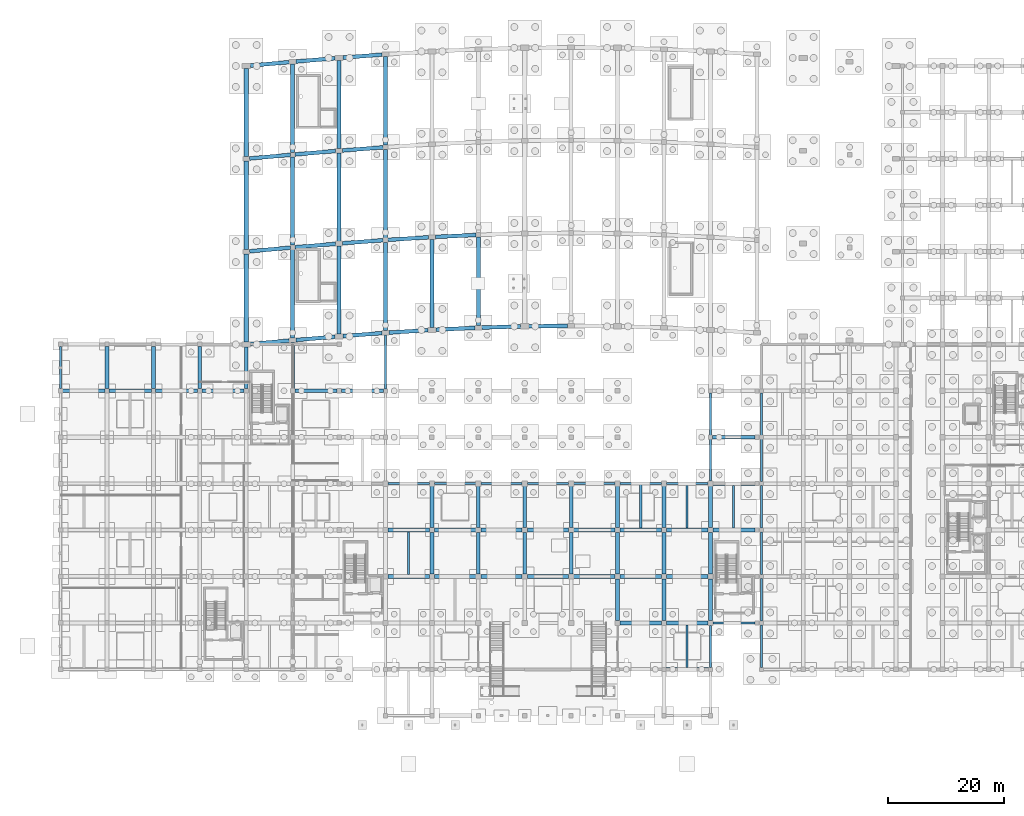
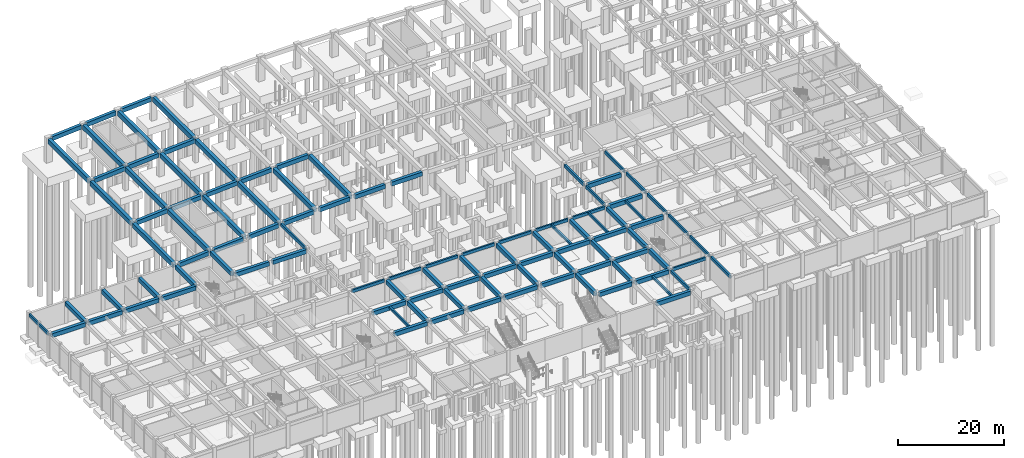
# One storey, part 17 of 45: 104 beams.
"""IFC4 building model written with IfcOpenShell, lengths in metres."""

from ifc_helpers import new_model, si_unit, direction, frame, origin, origin_2d, place, context, subcontext, project, spatial, rectangle, extrude, material, material_profile, profile_set, type_object, element, save


model = new_model("IFC4")

# Units and contexts
model_context = context("Model", 3, precision=1e-05, world=origin(), true_north=direction((0.0, 1.0)))
body_context = subcontext(model_context, "Body", "Model", "MODEL_VIEW")
ifc_project = project(units=[si_unit("LENGTHUNIT", "METRE"), si_unit("AREAUNIT", "SQUARE_METRE"), si_unit("VOLUMEUNIT", "CUBIC_METRE"), si_unit("PLANEANGLEUNIT", "RADIAN"), si_unit("MASSUNIT", "GRAM", prefix="KILO")], contexts=[model_context])

# Site, building, storey
site_placement = place(None, origin())
site = spatial("IfcSite", under=ifc_project, at=site_placement, CompositionType="ELEMENT")
building_placement = place(site_placement, origin())
building = spatial("IfcBuilding", under=site, at=building_placement, Name="Kenh Van Central Station", CompositionType="ELEMENT")
storey_placement = place(building_placement, frame((0.0, 0.0, -5.39990234375)))
storey = spatial("IfcBuildingStorey", under=building, at=storey_placement, Name="B1", CompositionType="ELEMENT", Elevation=-5.39990234375)

# Beams
ifc_material_1 = material(Name="Concrete C40/50", Category="concrete")
ifc_material_profile_1 = material_profile(ifc_material_1, rectangle(XDim=0.64990234375, YDim=0.949951171875, at=origin_2d()), Name="RC 650x950")
ifc_profile_set_1 = profile_set([ifc_material_profile_1], Name="Concrete C40/50")
beam_type_1 = type_object("IfcBeamType", Name="BM-RC-650x950", PredefinedType="BEAM", material=ifc_profile_set_1)
beam_1_placement = place(storey_placement, frame((104.340087890625, 8.0, 4.5849609375), z_axis=(1.0, 0.0, 0.0), x_axis=(0.0, 1.0, 0.0)))
element("IfcBeam", 1, at=beam_1_placement, inside=storey, type_object=beam_type_1, Name="B1 beam 0010", PredefinedType="BEAM", context=body_context, shape_type="SweptSolid", body=[
    extrude(rectangle(XDim=0.64990234375, YDim=0.949951171875, at=origin_2d()), origin(), (0.0, 0.0, 1.0), 7.31982421875),
])
for number, where, z_axis, x_axis, name in (
    (2, (96.43994140625, 16.0, 4.625), (1.0, 0.0, 0.0), (0.0, 1.0, 0.0), "B1 beam 0025"),
    (3, (104.43994140625, 16.0, 4.625), (1.0, 0.0, 0.0), (0.0, 1.0, 0.0), "B1 beam 0026"),
    (4, (56.43994140625, 24.0, 4.625), (1.0, 0.0, 0.0), (0.0, 1.0, 0.0), "B1 beam 0040"),
    (5, (64.43994140625, 24.0, 4.625), (1.0, 0.0, 0.0), (0.0, 1.0, 0.0), "B1 beam 0041"),
    (6, (72.43994140625, 24.0, 4.625), (1.0, 0.0, 0.0), (0.0, 1.0, 0.0), "B1 beam 0042"),
    (7, (80.43994140625, 24.0, 4.625), (1.0, 0.0, 0.0), (0.0, 1.0, 0.0), "B1 beam 0043"),
    (8, (88.43994140625, 24.0, 4.625), (1.0, 0.0, 0.0), (0.0, 1.0, 0.0), "B1 beam 0044"),
    (9, (96.43994140625, 24.0, 4.625), (1.0, 0.0, 0.0), (0.0, 1.0, 0.0), "B1 beam 0045"),
    (10, (104.43994140625, 24.0, 4.625), (1.0, 0.0, 0.0), (0.0, 1.0, 0.0), "B1 beam 0046"),
    (11, (56.43994140625, 32.0, 4.625), (1.0, 0.0, 0.0), (0.0, 1.0, 0.0), "B1 beam 0060"),
    (12, (64.43994140625, 32.0, 4.625), (1.0, 0.0, 0.0), (0.0, 1.0, 0.0), "B1 beam 0061"),
    (13, (72.43994140625, 32.0, 4.625), (1.0, 0.0, 0.0), (0.0, 1.0, 0.0), "B1 beam 0062"),
    (14, (80.43994140625, 32.0, 4.625), (1.0, 0.0, 0.0), (0.0, 1.0, 0.0), "B1 beam 0063"),
    (15, (88.43994140625, 32.0, 4.625), (1.0, 0.0, 0.0), (0.0, 1.0, 0.0), "B1 beam 0064"),
    (16, (96.43994140625, 32.0, 4.625), (1.0, 0.0, 0.0), (0.0, 1.0, 0.0), "B1 beam 0065"),
    (17, (104.43994140625, 32.0, 4.625), (1.0, 0.0, 0.0), (0.0, 1.0, 0.0), "B1 beam 0066"),
):
    element("IfcBeam", number, at=place(storey_placement, frame(where, z_axis=z_axis, x_axis=x_axis)), inside=storey, type_object=beam_type_1, Name=name, PredefinedType="BEAM", context=body_context, shape_type="SweptSolid", body=[
        extrude(rectangle(XDim=0.64990234375, YDim=0.949951171875, at=origin_2d()), origin(), (0.0, 0.0, 1.0), 7.1201171875),
    ])
for number, where, z_axis, x_axis, name in (
    (18, (112.43994140625, 32.0, 4.625), (1.0, 0.0, 0.0), (0.0, 1.0, 0.0), "B1 beam 0067"),
    (19, (112.43994140625, 40.0, 4.625), (1.0, 0.0, 0.0), (0.0, 1.0, 0.0), "B1 beam 0087"),
):
    element("IfcBeam", number, at=place(storey_placement, frame(where, z_axis=z_axis, x_axis=x_axis)), inside=storey, type_object=beam_type_1, Name=name, PredefinedType="BEAM", context=body_context, shape_type="SweptSolid", body=[
        extrude(rectangle(XDim=0.64990234375, YDim=0.949951171875, at=origin_2d()), origin(), (0.0, 0.0, 1.0), 7.219970703125),
    ])
beam_2_placement = place(storey_placement, frame((112.340087890625, 48.0, 4.625), z_axis=(1.0, 0.0, 0.0), x_axis=(0.0, 1.0, 0.0)))
element("IfcBeam", 20, at=beam_2_placement, inside=storey, type_object=beam_type_1, Name="B1 beam 0101", PredefinedType="BEAM", context=body_context, shape_type="SweptSolid", body=[
    extrude(rectangle(XDim=0.64990234375, YDim=0.949951171875, at=origin_2d()), origin(), (0.0, 0.0, 1.0), 7.31982421875),
])
for number, where, z_axis, x_axis, name in (
    (21, (0.364990234375, 56.0, 4.625), (1.0, 0.0, 0.0), (0.0, 1.0, 0.0), "B1 beam 0108"),
    (22, (8.364990234375, 56.0, 4.625), (1.0, 0.0, 0.0), (0.0, 1.0, 0.0), "B1 beam 0109"),
):
    element("IfcBeam", number, at=place(storey_placement, frame(where, z_axis=z_axis, x_axis=x_axis)), inside=storey, type_object=beam_type_1, Name=name, PredefinedType="BEAM", context=body_context, shape_type="SweptSolid", body=[
        extrude(rectangle(XDim=0.64990234375, YDim=0.949951171875, at=origin_2d()), origin(), (0.0, 0.0, 1.0), 7.27001953125),
    ])
beam_3_placement = place(storey_placement, frame((16.364990234375, 56.0, 4.625), z_axis=(1.0, 0.0, 0.0), x_axis=(0.0, 1.0, 0.0)))
element("IfcBeam", 23, at=beam_3_placement, inside=storey, type_object=beam_type_1, Name="B1 beam 0110", PredefinedType="BEAM", context=body_context, shape_type="SweptSolid", body=[
    extrude(rectangle(XDim=0.64990234375, YDim=0.949951171875, at=origin_2d()), origin(), (0.0, 0.0, 1.0), 7.2451171875),
])
for number, where, z_axis, x_axis, name in (
    (24, (24.389892578125, 56.0, 4.625), (1.0, 0.0, 0.0), (0.0, 1.0, 0.0), "B1 beam 0111"),
    (25, (40.389892578125, 56.0, 4.625), (1.0, 0.0, 0.0), (0.0, 1.0, 0.0), "B1 beam 0112"),
):
    element("IfcBeam", number, at=place(storey_placement, frame(where, z_axis=z_axis, x_axis=x_axis)), inside=storey, type_object=beam_type_1, Name=name, PredefinedType="BEAM", context=body_context, shape_type="SweptSolid", body=[
        extrude(rectangle(XDim=0.64990234375, YDim=0.949951171875, at=origin_2d()), origin(), (0.0, 0.0, 1.0), 7.22021484375),
    ])
for number, where, z_axis, x_axis, name in (
    (26, (48.389892578125, 56.0, 4.625), (1.0, 0.0, 0.0), (0.0, 1.0, 0.0), "B1 beam 0113"),
    (27, (8.0, 56.364990234375, 4.625), (0.0, 1.0, 0.0), (-1.0, 0.0, 0.0), "B1 beam 0161"),
    (28, (16.0, 56.364990234375, 4.625), (0.0, 1.0, 0.0), (-1.0, 0.0, 0.0), "B1 beam 0168"),
):
    element("IfcBeam", number, at=place(storey_placement, frame(where, z_axis=z_axis, x_axis=x_axis)), inside=storey, type_object=beam_type_1, Name=name, PredefinedType="BEAM", context=body_context, shape_type="SweptSolid", body=[
        extrude(rectangle(XDim=0.64990234375, YDim=0.949951171875, at=origin_2d()), origin(), (0.0, 0.0, 1.0), 7.27001953125),
    ])
beam_4_placement = place(storey_placement, frame((24.0, 56.389892578125, 4.625), z_axis=(0.0, 1.0, 0.0), x_axis=(-1.0, 0.0, 0.0)))
element("IfcBeam", 29, at=beam_4_placement, inside=storey, type_object=beam_type_1, Name="B1 beam 0175", PredefinedType="BEAM", context=body_context, shape_type="SweptSolid", body=[
    extrude(rectangle(XDim=0.64990234375, YDim=0.949951171875, at=origin_2d()), origin(), (0.0, 0.0, 1.0), 7.22021484375),
])
beam_5_placement = place(storey_placement, frame((32.0, 56.389892578125, 4.625), z_axis=(0.0, 1.0, 0.0), x_axis=(-1.0, 0.0, 0.0)))
element("IfcBeam", 30, at=beam_5_placement, inside=storey, type_object=beam_type_1, Name="B1 beam 0182", PredefinedType="BEAM", context=body_context, shape_type="SweptSolid", body=[
    extrude(rectangle(XDim=0.64990234375, YDim=0.949951171875, at=origin_2d()), origin(), (0.0, 0.0, 1.0), 7.170166015625),
])
beam_6_placement = place(storey_placement, frame((40.0, 56.389892578125, 4.625), z_axis=(0.0, 1.0, 0.0), x_axis=(-1.0, 0.0, 0.0)))
element("IfcBeam", 31, at=beam_6_placement, inside=storey, type_object=beam_type_1, Name="B1 beam 0189", PredefinedType="BEAM", context=body_context, shape_type="SweptSolid", body=[
    extrude(rectangle(XDim=0.64990234375, YDim=0.949951171875, at=origin_2d()), origin(), (0.0, 0.0, 1.0), 7.93212890625),
])
for number, where, z_axis, x_axis, name in (
    (32, (64.0, 24.43994140625, 4.625), (0.0, 1.0, 0.0), (-1.0, 0.0, 0.0), "B1 beam 0201"),
    (33, (64.0, 32.43994140625, 4.625), (0.0, 1.0, 0.0), (-1.0, 0.0, 0.0), "B1 beam 0202"),
    (34, (72.0, 24.43994140625, 4.625), (0.0, 1.0, 0.0), (-1.0, 0.0, 0.0), "B1 beam 0204"),
    (35, (72.0, 32.43994140625, 4.625), (0.0, 1.0, 0.0), (-1.0, 0.0, 0.0), "B1 beam 0205"),
    (36, (80.0, 24.43994140625, 4.625), (0.0, 1.0, 0.0), (-1.0, 0.0, 0.0), "B1 beam 0207"),
    (37, (80.0, 32.43994140625, 4.625), (0.0, 1.0, 0.0), (-1.0, 0.0, 0.0), "B1 beam 0208"),
    (38, (88.0, 24.43994140625, 4.625), (0.0, 1.0, 0.0), (-1.0, 0.0, 0.0), "B1 beam 0210"),
    (39, (88.0, 32.43994140625, 4.625), (0.0, 1.0, 0.0), (-1.0, 0.0, 0.0), "B1 beam 0211"),
    (40, (96.0, 16.43994140625, 4.625), (0.0, 1.0, 0.0), (-1.0, 0.0, 0.0), "B1 beam 0212"),
    (41, (96.0, 24.43994140625, 4.625), (0.0, 1.0, 0.0), (-1.0, 0.0, 0.0), "B1 beam 0213"),
    (42, (96.0, 32.43994140625, 4.625), (0.0, 1.0, 0.0), (-1.0, 0.0, 0.0), "B1 beam 0214"),
    (43, (104.0, 16.43994140625, 4.625), (0.0, 1.0, 0.0), (-1.0, 0.0, 0.0), "B1 beam 0217"),
    (44, (104.0, 24.43994140625, 4.625), (0.0, 1.0, 0.0), (-1.0, 0.0, 0.0), "B1 beam 0218"),
    (45, (104.0, 32.43994140625, 4.625), (0.0, 1.0, 0.0), (-1.0, 0.0, 0.0), "B1 beam 0219"),
    (46, (112.0, 16.43994140625, 4.625), (0.0, 1.0, 0.0), (-1.0, 0.0, 0.0), "B1 beam 0222"),
    (47, (112.0, 24.43994140625, 4.625), (0.0, 1.0, 0.0), (-1.0, 0.0, 0.0), "B1 beam 0223"),
    (48, (112.0, 32.43994140625, 4.625), (0.0, 1.0, 0.0), (-1.0, 0.0, 0.0), "B1 beam 0224"),
):
    element("IfcBeam", number, at=place(storey_placement, frame(where, z_axis=z_axis, x_axis=x_axis)), inside=storey, type_object=beam_type_1, Name=name, PredefinedType="BEAM", context=body_context, shape_type="SweptSolid", body=[
        extrude(rectangle(XDim=0.64990234375, YDim=0.949951171875, at=origin_2d()), origin(), (0.0, 0.0, 1.0), 7.1201171875),
    ])
beam_7_placement = place(storey_placement, frame((32.687255859375, 64.061279296875, 4.625), z_axis=(0.996064770489, 0.088628285503, 0.0), x_axis=(-0.088628285503, 0.996064770489, 0.0)))
element("IfcBeam", 49, at=beam_7_placement, inside=storey, type_object=beam_type_1, Name="B1 viaduct girder 1301", PredefinedType="BEAM", context=body_context, shape_type="SweptSolid", body=[
    extrude(rectangle(XDim=0.64990234375, YDim=0.949951171875, at=origin_2d()), origin(), (0.0, 0.0, 1.0), 6.751708984375),
])
beam_8_placement = place(storey_placement, frame((40.587890625, 64.76171875, 4.625), z_axis=(0.996444229131, 0.084254959688, 0.0), x_axis=(-0.084254959688, 0.996444229131, 0.0)))
element("IfcBeam", 50, at=beam_8_placement, inside=storey, type_object=beam_type_1, Name="B1 viaduct girder 1302", PredefinedType="BEAM", context=body_context, shape_type="SweptSolid", body=[
    extrude(rectangle(XDim=0.64990234375, YDim=0.949951171875, at=origin_2d()), origin(), (0.0, 0.0, 1.0), 6.74853515625),
])
beam_9_placement = place(storey_placement, frame((48.68798828125, 65.440673828125, 4.625), z_axis=(0.997135493389, 0.075636021993, 0.0), x_axis=(-0.075636021993, 0.997135493389, 0.0)))
element("IfcBeam", 51, at=beam_9_placement, inside=storey, type_object=beam_type_1, Name="B1 viaduct girder 1303", PredefinedType="BEAM", context=body_context, shape_type="SweptSolid", body=[
    extrude(rectangle(XDim=0.64990234375, YDim=0.949951171875, at=origin_2d()), origin(), (0.0, 0.0, 1.0), 6.742919921875),
])
beam_10_placement = place(storey_placement, frame((56.5888671875, 66.032470703125, 4.625), z_axis=(0.99800019098, 0.06321090732, 0.0), x_axis=(-0.06321090732, 0.99800019098, 0.0)))
element("IfcBeam", 52, at=beam_10_placement, inside=storey, type_object=beam_type_1, Name="B1 viaduct girder 1304", PredefinedType="BEAM", context=body_context, shape_type="SweptSolid", body=[
    extrude(rectangle(XDim=0.64990234375, YDim=0.949951171875, at=origin_2d()), origin(), (0.0, 0.0, 1.0), 6.73583984375),
])
beam_11_placement = place(storey_placement, frame((64.689208984375, 66.53466796875, 4.625), z_axis=(0.998866413286, 0.047601348815, 0.0), x_axis=(-0.047601348815, 0.998866413286, 0.0)))
element("IfcBeam", 53, at=beam_11_placement, inside=storey, type_object=beam_type_1, Name="B1 viaduct girder 1305", PredefinedType="BEAM", context=body_context, shape_type="SweptSolid", body=[
    extrude(rectangle(XDim=0.64990234375, YDim=0.949951171875, at=origin_2d()), origin(), (0.0, 0.0, 1.0), 6.72900390625),
])
beam_12_placement = place(storey_placement, frame((72.58984375, 66.900634765625, 4.625), z_axis=(0.999563065499, 0.029558046112, 0.0), x_axis=(-0.029558046112, 0.999563065499, 0.0)))
element("IfcBeam", 54, at=beam_12_placement, inside=storey, type_object=beam_type_1, Name="B1 viaduct girder 1306", PredefinedType="BEAM", context=body_context, shape_type="SweptSolid", body=[
    extrude(rectangle(XDim=0.64990234375, YDim=0.949951171875, at=origin_2d()), origin(), (0.0, 0.0, 1.0), 6.723388671875),
])
beam_13_placement = place(storey_placement, frame((80.68994140625, 67.126708984375, 4.625), z_axis=(0.99994973094, 0.010026743896, 0.0), x_axis=(-0.010026743896, 0.99994973094, 0.0)))
element("IfcBeam", 55, at=beam_13_placement, inside=storey, type_object=beam_type_1, Name="B1 viaduct girder 1307", PredefinedType="BEAM", context=body_context, shape_type="SweptSolid", body=[
    extrude(rectangle(XDim=0.64990234375, YDim=0.949951171875, at=origin_2d()), origin(), (0.0, 0.0, 1.0), 6.72021484375),
])
beam_14_placement = place(storey_placement, frame((32.587646484375, 80.05224609375, 4.625), z_axis=(0.996061437134, 0.088665740024, 0.0), x_axis=(-0.088665740024, 0.996061437134, 0.0)))
element("IfcBeam", 56, at=beam_14_placement, inside=storey, type_object=beam_type_1, Name="B1 viaduct girder 1312", PredefinedType="BEAM", context=body_context, shape_type="SweptSolid", body=[
    extrude(rectangle(XDim=0.64990234375, YDim=0.949951171875, at=origin_2d()), origin(), (0.0, 0.0, 1.0), 7.0517578125),
])
beam_15_placement = place(storey_placement, frame((40.388671875, 80.744873046875, 4.625), z_axis=(0.996445671576, 0.084237898821, 0.0), x_axis=(-0.084237898821, 0.996445671576, 0.0)))
element("IfcBeam", 57, at=beam_15_placement, inside=storey, type_object=beam_type_1, Name="B1 viaduct girder 1313", PredefinedType="BEAM", context=body_context, shape_type="SweptSolid", body=[
    extrude(rectangle(XDim=0.64990234375, YDim=0.949951171875, at=origin_2d()), origin(), (0.0, 0.0, 1.0), 7.048583984375),
])
beam_16_placement = place(storey_placement, frame((48.58837890625, 81.43310546875, 4.625), z_axis=(0.997135285012, 0.075638769056, 0.0), x_axis=(-0.075638769056, 0.997135285012, 0.0)))
element("IfcBeam", 58, at=beam_16_placement, inside=storey, type_object=beam_type_1, Name="B1 viaduct girder 1314", PredefinedType="BEAM", context=body_context, shape_type="SweptSolid", body=[
    extrude(rectangle(XDim=0.64990234375, YDim=0.949951171875, at=origin_2d()), origin(), (0.0, 0.0, 1.0), 7.04296875),
])
beam_17_placement = place(storey_placement, frame((56.38916015625, 82.019775390625, 4.625), z_axis=(0.997999567519, 0.063220750018, 0.0), x_axis=(-0.063220750018, 0.997999567519, 0.0)))
element("IfcBeam", 59, at=beam_17_placement, inside=storey, type_object=beam_type_1, Name="B1 viaduct girder 1315", PredefinedType="BEAM", context=body_context, shape_type="SweptSolid", body=[
    extrude(rectangle(XDim=0.64990234375, YDim=0.949951171875, at=origin_2d()), origin(), (0.0, 0.0, 1.0), 7.0361328125),
])
beam_18_placement = place(storey_placement, frame((64.58935546875, 82.530029296875, 4.625), z_axis=(0.998867194536, 0.04758495224, 0.0), x_axis=(-0.04758495224, 0.998867194536, 0.0)))
element("IfcBeam", 60, at=beam_18_placement, inside=storey, type_object=beam_type_1, Name="B1 viaduct girder 1316", PredefinedType="BEAM", context=body_context, shape_type="SweptSolid", body=[
    extrude(rectangle(XDim=0.64990234375, YDim=0.949951171875, at=origin_2d()), origin(), (0.0, 0.0, 1.0), 7.029052734375),
])
beam_19_placement = place(storey_placement, frame((32.587646484375, 96.05224609375, 4.625), z_axis=(0.996061437134, 0.088665740024, 0.0), x_axis=(-0.088665740024, 0.996061437134, 0.0)))
element("IfcBeam", 61, at=beam_19_placement, inside=storey, type_object=beam_type_1, Name="B1 viaduct girder 1323", PredefinedType="BEAM", context=body_context, shape_type="SweptSolid", body=[
    extrude(rectangle(XDim=0.64990234375, YDim=0.949951171875, at=origin_2d()), origin(), (0.0, 0.0, 1.0), 7.0517578125),
])
beam_20_placement = place(storey_placement, frame((40.388671875, 96.744873046875, 4.625), z_axis=(0.996445671576, 0.084237898821, 0.0), x_axis=(-0.084237898821, 0.996445671576, 0.0)))
element("IfcBeam", 62, at=beam_20_placement, inside=storey, type_object=beam_type_1, Name="B1 viaduct girder 1324", PredefinedType="BEAM", context=body_context, shape_type="SweptSolid", body=[
    extrude(rectangle(XDim=0.64990234375, YDim=0.949951171875, at=origin_2d()), origin(), (0.0, 0.0, 1.0), 7.048583984375),
])
beam_21_placement = place(storey_placement, frame((48.58837890625, 97.43310546875, 4.625), z_axis=(0.997135285012, 0.075638769056, 0.0), x_axis=(-0.075638769056, 0.997135285012, 0.0)))
element("IfcBeam", 63, at=beam_21_placement, inside=storey, type_object=beam_type_1, Name="B1 viaduct girder 1325", PredefinedType="BEAM", context=body_context, shape_type="SweptSolid", body=[
    extrude(rectangle(XDim=0.64990234375, YDim=0.949951171875, at=origin_2d()), origin(), (0.0, 0.0, 1.0), 7.04296875),
])
beam_22_placement = place(storey_placement, frame((32.687255859375, 112.061279296875, 4.625), z_axis=(0.996064770489, 0.088628285503, 0.0), x_axis=(-0.088628285503, 0.996064770489, 0.0)))
element("IfcBeam", 64, at=beam_22_placement, inside=storey, type_object=beam_type_1, Name="B1 viaduct girder 1334", PredefinedType="BEAM", context=body_context, shape_type="SweptSolid", body=[
    extrude(rectangle(XDim=0.64990234375, YDim=0.949951171875, at=origin_2d()), origin(), (0.0, 0.0, 1.0), 6.751708984375),
])
beam_23_placement = place(storey_placement, frame((40.587890625, 112.76171875, 4.625), z_axis=(0.996444229131, 0.084254959688, 0.0), x_axis=(-0.084254959688, 0.996444229131, 0.0)))
element("IfcBeam", 65, at=beam_23_placement, inside=storey, type_object=beam_type_1, Name="B1 viaduct girder 1335", PredefinedType="BEAM", context=body_context, shape_type="SweptSolid", body=[
    extrude(rectangle(XDim=0.64990234375, YDim=0.949951171875, at=origin_2d()), origin(), (0.0, 0.0, 1.0), 6.74853515625),
])
beam_24_placement = place(storey_placement, frame((48.68798828125, 113.440673828125, 4.625), z_axis=(0.997135493389, 0.075636021993, 0.0), x_axis=(-0.075636021993, 0.997135493389, 0.0)))
element("IfcBeam", 66, at=beam_24_placement, inside=storey, type_object=beam_type_1, Name="B1 viaduct girder 1336", PredefinedType="BEAM", context=body_context, shape_type="SweptSolid", body=[
    extrude(rectangle(XDim=0.64990234375, YDim=0.949951171875, at=origin_2d()), origin(), (0.0, 0.0, 1.0), 6.742919921875),
])
ifc_material_profile_2 = material_profile(ifc_material_1, rectangle(XDim=0.699951171875, YDim=1.10009765625, at=origin_2d()), Name="RC 700x1100")
ifc_profile_set_2 = profile_set([ifc_material_profile_2], Name="Concrete C40/50")
beam_type_2 = type_object("IfcBeamType", Name="BM-RC-700x1100", PredefinedType="BEAM", material=ifc_profile_set_2)
beam_25_placement = place(storey_placement, frame((32.0, 64.43994140625, 4.5498046875), z_axis=(0.0, 1.0, 0.0), x_axis=(-1.0, 0.0, 0.0)))
element("IfcBeam", 67, at=beam_25_placement, inside=storey, type_object=beam_type_2, Name="B1 viaduct cross-girder 1345", PredefinedType="BEAM", context=body_context, shape_type="SweptSolid", body=[
    extrude(rectangle(XDim=0.699951171875, YDim=1.10009765625, at=origin_2d()), origin(), (0.0, 0.0, 1.0), 15.170166015625),
])
beam_26_placement = place(storey_placement, frame((32.0, 80.389892578125, 4.5498046875), z_axis=(0.0, 1.0, 0.0), x_axis=(-1.0, 0.0, 0.0)))
element("IfcBeam", 68, at=beam_26_placement, inside=storey, type_object=beam_type_2, Name="B1 viaduct cross-girder 1346", PredefinedType="BEAM", context=body_context, shape_type="SweptSolid", body=[
    extrude(rectangle(XDim=0.699951171875, YDim=1.10009765625, at=origin_2d()), origin(), (0.0, 0.0, 1.0), 15.22021484375),
])
beam_27_placement = place(storey_placement, frame((32.0, 96.389892578125, 4.5498046875), z_axis=(0.0, 1.0, 0.0), x_axis=(-1.0, 0.0, 0.0)))
element("IfcBeam", 69, at=beam_27_placement, inside=storey, type_object=beam_type_2, Name="B1 viaduct cross-girder 1347", PredefinedType="BEAM", context=body_context, shape_type="SweptSolid", body=[
    extrude(rectangle(XDim=0.699951171875, YDim=1.10009765625, at=origin_2d()), origin(), (0.0, 0.0, 1.0), 15.170166015625),
])
for number, where, z_axis, x_axis, name in (
    (70, (40.0, 65.10205078125, 4.5498046875), (0.0, 1.0, 0.0), (-1.0, 0.0, 0.0), "B1 viaduct cross-girder 1348"),
    (71, (40.0, 81.10205078125, 4.5498046875), (0.0, 1.0, 0.0), (-1.0, 0.0, 0.0), "B1 viaduct cross-girder 1349"),
    (72, (40.0, 97.10205078125, 4.5498046875), (0.0, 1.0, 0.0), (-1.0, 0.0, 0.0), "B1 viaduct cross-girder 1350"),
):
    element("IfcBeam", number, at=place(storey_placement, frame(where, z_axis=z_axis, x_axis=x_axis)), inside=storey, type_object=beam_type_2, Name=name, PredefinedType="BEAM", context=body_context, shape_type="SweptSolid", body=[
        extrude(rectangle(XDim=0.699951171875, YDim=1.10009765625, at=origin_2d()), origin(), (0.0, 0.0, 1.0), 15.219970703125),
    ])
beam_28_placement = place(storey_placement, frame((48.0, 65.828369140625, 4.5498046875), z_axis=(0.0, 1.0, 0.0), x_axis=(-1.0, 0.0, 0.0)))
element("IfcBeam", 73, at=beam_28_placement, inside=storey, type_object=beam_type_2, Name="B1 viaduct cross-girder 1351", PredefinedType="BEAM", context=body_context, shape_type="SweptSolid", body=[
    extrude(rectangle(XDim=0.699951171875, YDim=1.10009765625, at=origin_2d()), origin(), (0.0, 0.0, 1.0), 15.169921875),
])
beam_29_placement = place(storey_placement, frame((48.0, 81.7783203125, 4.5498046875), z_axis=(0.0, 1.0, 0.0), x_axis=(-1.0, 0.0, 0.0)))
element("IfcBeam", 74, at=beam_29_placement, inside=storey, type_object=beam_type_2, Name="B1 viaduct cross-girder 1352", PredefinedType="BEAM", context=body_context, shape_type="SweptSolid", body=[
    extrude(rectangle(XDim=0.699951171875, YDim=1.10009765625, at=origin_2d()), origin(), (0.0, 0.0, 1.0), 15.219970703125),
])
beam_30_placement = place(storey_placement, frame((48.0, 97.7783203125, 4.5498046875), z_axis=(0.0, 1.0, 0.0), x_axis=(-1.0, 0.0, 0.0)))
element("IfcBeam", 75, at=beam_30_placement, inside=storey, type_object=beam_type_2, Name="B1 viaduct cross-girder 1353", PredefinedType="BEAM", context=body_context, shape_type="SweptSolid", body=[
    extrude(rectangle(XDim=0.699951171875, YDim=1.10009765625, at=origin_2d()), origin(), (0.0, 0.0, 1.0), 15.170166015625),
])
for number, where, z_axis, x_axis, name in (
    (76, (56.0, 66.38525390625, 4.5498046875), (0.0, 1.0, 0.0), (-1.0, 0.0, 0.0), "B1 viaduct cross-girder 1354"),
    (77, (56.0, 82.38525390625, 4.5498046875), (0.0, 1.0, 0.0), (-1.0, 0.0, 0.0), "B1 viaduct cross-girder 1355"),
    (78, (56.0, 98.38525390625, 4.5498046875), (0.0, 1.0, 0.0), (-1.0, 0.0, 0.0), "B1 viaduct cross-girder 1356"),
):
    element("IfcBeam", number, at=place(storey_placement, frame(where, z_axis=z_axis, x_axis=x_axis)), inside=storey, type_object=beam_type_2, Name=name, PredefinedType="BEAM", context=body_context, shape_type="SweptSolid", body=[
        extrude(rectangle(XDim=0.699951171875, YDim=1.10009765625, at=origin_2d()), origin(), (0.0, 0.0, 1.0), 15.219970703125),
    ])
beam_31_placement = place(storey_placement, frame((64.0, 66.94189453125, 4.5498046875), z_axis=(0.0, 1.0, 0.0), x_axis=(-1.0, 0.0, 0.0)))
element("IfcBeam", 79, at=beam_31_placement, inside=storey, type_object=beam_type_2, Name="B1 viaduct cross-girder 1357", PredefinedType="BEAM", context=body_context, shape_type="SweptSolid", body=[
    extrude(rectangle(XDim=0.699951171875, YDim=1.10009765625, at=origin_2d()), origin(), (0.0, 0.0, 1.0), 15.169921875),
])
beam_32_placement = place(storey_placement, frame((72.0, 67.273193359375, 4.5498046875), z_axis=(0.0, 1.0, 0.0), x_axis=(-1.0, 0.0, 0.0)))
element("IfcBeam", 80, at=beam_32_placement, inside=storey, type_object=beam_type_2, Name="B1 viaduct cross-girder 1360", PredefinedType="BEAM", context=body_context, shape_type="SweptSolid", body=[
    extrude(rectangle(XDim=0.699951171875, YDim=1.10009765625, at=origin_2d()), origin(), (0.0, 0.0, 1.0), 15.219970703125),
])
ifc_material_2 = material(Name="Concrete C35/45", Category="concrete")
ifc_material_profile_3 = material_profile(ifc_material_2, rectangle(XDim=0.35009765625, YDim=0.550048828125, at=origin_2d()), Name="RC 350x550")
ifc_profile_set_3 = profile_set([ifc_material_profile_3], Name="Concrete C35/45")
beam_type_3 = type_object("IfcBeamType", Name="JST-RC-350x550", PredefinedType="JOIST", material=ifc_profile_set_3)
beam_33_placement = place(storey_placement, frame((60.0, 24.324951171875, 4.824951171875), z_axis=(0.0, 1.0, 0.0), x_axis=(-1.0, 0.0, 0.0)))
element("IfcBeam", 81, at=beam_33_placement, inside=storey, type_object=beam_type_3, Name="B1 floor joist 0326", PredefinedType="JOIST", context=body_context, shape_type="SweptSolid", body=[
    extrude(rectangle(XDim=0.35009765625, YDim=0.550048828125, at=origin_2d()), origin(), (0.0, 0.0, 1.0), 7.35009765625),
])
beam_34_placement = place(storey_placement, frame((100.0, 32.324951171875, 4.824951171875), z_axis=(0.0, 1.0, 0.0), x_axis=(-1.0, 0.0, 0.0)))
element("IfcBeam", 82, at=beam_34_placement, inside=storey, type_object=beam_type_3, Name="B1 floor joist 0328", PredefinedType="JOIST", context=body_context, shape_type="SweptSolid", body=[
    extrude(rectangle(XDim=0.35009765625, YDim=0.550048828125, at=origin_2d()), origin(), (0.0, 0.0, 1.0), 7.5),
])
beam_35_placement = place(storey_placement, frame((108.0, 8.324951171875, 4.784912109375), z_axis=(0.0, 1.0, 0.0), x_axis=(-1.0, 0.0, 0.0)))
element("IfcBeam", 83, at=beam_35_placement, inside=storey, type_object=beam_type_3, Name="B1 floor joist 0329", PredefinedType="JOIST", context=body_context, shape_type="SweptSolid", body=[
    extrude(rectangle(XDim=0.35009765625, YDim=0.550048828125, at=origin_2d()), origin(), (0.0, 0.0, 1.0), 7.35009765625),
])
beam_36_placement = place(storey_placement, frame((108.0, 32.324951171875, 4.824951171875), z_axis=(0.0, 1.0, 0.0), x_axis=(-1.0, 0.0, 0.0)))
element("IfcBeam", 84, at=beam_36_placement, inside=storey, type_object=beam_type_3, Name="B1 floor joist 0330", PredefinedType="JOIST", context=body_context, shape_type="SweptSolid", body=[
    extrude(rectangle(XDim=0.35009765625, YDim=0.550048828125, at=origin_2d()), origin(), (0.0, 0.0, 1.0), 7.5),
])
beam_37_placement = place(storey_placement, frame((116.0, 32.324951171875, 4.824951171875), z_axis=(0.0, 1.0, 0.0), x_axis=(-1.0, 0.0, 0.0)))
element("IfcBeam", 85, at=beam_37_placement, inside=storey, type_object=beam_type_3, Name="B1 floor joist 0331", PredefinedType="JOIST", context=body_context, shape_type="SweptSolid", body=[
    extrude(rectangle(XDim=0.35009765625, YDim=0.550048828125, at=origin_2d()), origin(), (0.0, 0.0, 1.0), 7.35009765625),
])
ifc_material_profile_4 = material_profile(ifc_material_2, rectangle(XDim=0.35009765625, YDim=0.699951171875, at=origin_2d()), Name="RC 350x700")
ifc_profile_set_4 = profile_set([ifc_material_profile_4], Name="Concrete C35/45")
beam_type_4 = type_object("IfcBeamType", Name="SPD-RC-350x700", PredefinedType="SPANDREL", material=ifc_profile_set_4)
beam_38_placement = place(storey_placement, frame((112.43994140625, 16.0, 4.75), z_axis=(1.0, 0.0, 0.0), x_axis=(0.0, 1.0, 0.0)))
element("IfcBeam", 86, at=beam_38_placement, inside=storey, type_object=beam_type_4, Name="B1 beam 0027", PredefinedType="SPANDREL", context=body_context, shape_type="SweptSolid", body=[
    extrude(rectangle(XDim=0.35009765625, YDim=0.699951171875, at=origin_2d()), origin(), (0.0, 0.0, 1.0), 7.219970703125),
])
for number, where, z_axis, x_axis, name in (
    (87, (56.43994140625, 40.0, 4.75), (1.0, 0.0, 0.0), (0.0, 1.0, 0.0), "B1 beam 0080"),
    (88, (64.43994140625, 40.0, 4.75), (1.0, 0.0, 0.0), (0.0, 1.0, 0.0), "B1 beam 0081"),
    (89, (72.43994140625, 40.0, 4.75), (1.0, 0.0, 0.0), (0.0, 1.0, 0.0), "B1 beam 0082"),
    (90, (80.43994140625, 40.0, 4.75), (1.0, 0.0, 0.0), (0.0, 1.0, 0.0), "B1 beam 0083"),
    (91, (88.43994140625, 40.0, 4.75), (1.0, 0.0, 0.0), (0.0, 1.0, 0.0), "B1 beam 0084"),
    (92, (96.43994140625, 40.0, 4.75), (1.0, 0.0, 0.0), (0.0, 1.0, 0.0), "B1 beam 0085"),
    (93, (104.43994140625, 40.0, 4.75), (1.0, 0.0, 0.0), (0.0, 1.0, 0.0), "B1 beam 0086"),
):
    element("IfcBeam", number, at=place(storey_placement, frame(where, z_axis=z_axis, x_axis=x_axis)), inside=storey, type_object=beam_type_4, Name=name, PredefinedType="SPANDREL", context=body_context, shape_type="SweptSolid", body=[
        extrude(rectangle(XDim=0.35009765625, YDim=0.699951171875, at=origin_2d()), origin(), (0.0, 0.0, 1.0), 7.1201171875),
    ])
beam_39_placement = place(storey_placement, frame((0.0, 56.364990234375, 4.75), z_axis=(0.0, 1.0, 0.0), x_axis=(-1.0, 0.0, 0.0)))
element("IfcBeam", 94, at=beam_39_placement, inside=storey, type_object=beam_type_4, Name="B1 beam 0154", PredefinedType="SPANDREL", context=body_context, shape_type="SweptSolid", body=[
    extrude(rectangle(XDim=0.35009765625, YDim=0.699951171875, at=origin_2d()), origin(), (0.0, 0.0, 1.0), 7.27001953125),
])
beam_40_placement = place(storey_placement, frame((56.0, 56.340087890625, 4.75), z_axis=(0.0, 1.0, 0.0), x_axis=(-1.0, 0.0, 0.0)))
element("IfcBeam", 95, at=beam_40_placement, inside=storey, type_object=beam_type_4, Name="B1 beam 0197", PredefinedType="SPANDREL", context=body_context, shape_type="SweptSolid", body=[
    extrude(rectangle(XDim=0.35009765625, YDim=0.699951171875, at=origin_2d()), origin(), (0.0, 0.0, 1.0), 9.26513671875),
])
for number, where, z_axis, x_axis, name in (
    (96, (112.0, 8.340087890625, 4.7099609375), (0.0, 1.0, 0.0), (-1.0, 0.0, 0.0), "B1 beam 0221"),
    (97, (112.0, 40.43994140625, 4.75), (0.0, 1.0, 0.0), (-1.0, 0.0, 0.0), "B1 beam 0225"),
):
    element("IfcBeam", number, at=place(storey_placement, frame(where, z_axis=z_axis, x_axis=x_axis)), inside=storey, type_object=beam_type_4, Name=name, PredefinedType="SPANDREL", context=body_context, shape_type="SweptSolid", body=[
        extrude(rectangle(XDim=0.35009765625, YDim=0.699951171875, at=origin_2d()), origin(), (0.0, 0.0, 1.0), 7.219970703125),
    ])
for number, where, z_axis, x_axis, name in (
    (98, (112.0, 48.340087890625, 4.75), (0.0, 1.0, 0.0), (-1.0, 0.0, 0.0), "B1 beam 0226"),
    (99, (120.800048828125, 8.340087890625, 4.75), (0.0, 1.0, 0.0), (-1.0, 0.0, 0.0), "B1 beam 0228"),
    (100, (120.800048828125, 16.340087890625, 4.75), (0.0, 1.0, 0.0), (-1.0, 0.0, 0.0), "B1 beam 0229"),
    (101, (120.800048828125, 24.340087890625, 4.75), (0.0, 1.0, 0.0), (-1.0, 0.0, 0.0), "B1 beam 0230"),
    (102, (120.800048828125, 32.340087890625, 4.75), (0.0, 1.0, 0.0), (-1.0, 0.0, 0.0), "B1 beam 0231"),
    (103, (120.800048828125, 40.340087890625, 4.75), (0.0, 1.0, 0.0), (-1.0, 0.0, 0.0), "B1 beam 0232"),
    (104, (120.800048828125, 48.340087890625, 4.75), (0.0, 1.0, 0.0), (-1.0, 0.0, 0.0), "B1 beam 0233"),
):
    element("IfcBeam", number, at=place(storey_placement, frame(where, z_axis=z_axis, x_axis=x_axis)), inside=storey, type_object=beam_type_4, Name=name, PredefinedType="SPANDREL", context=body_context, shape_type="SweptSolid", body=[
        extrude(rectangle(XDim=0.35009765625, YDim=0.699951171875, at=origin_2d()), origin(), (0.0, 0.0, 1.0), 7.31982421875),
    ])

save(model, "model.ifc")
